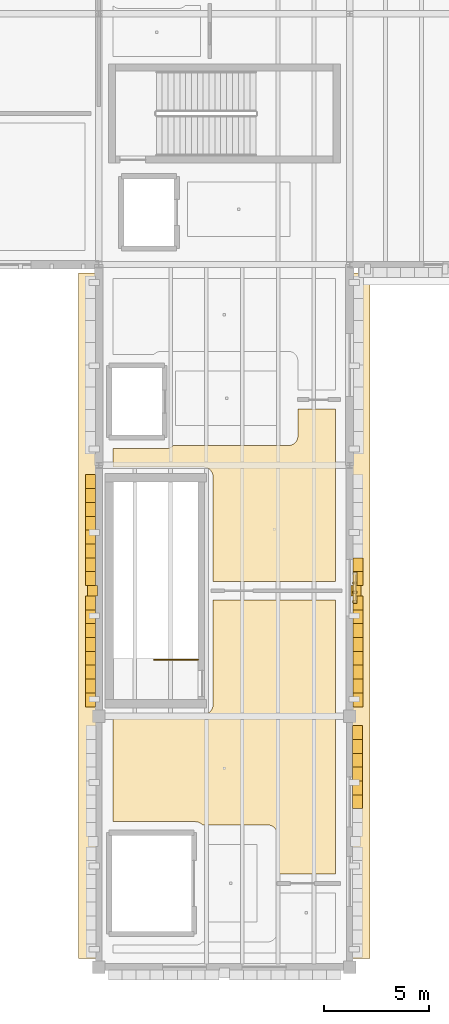
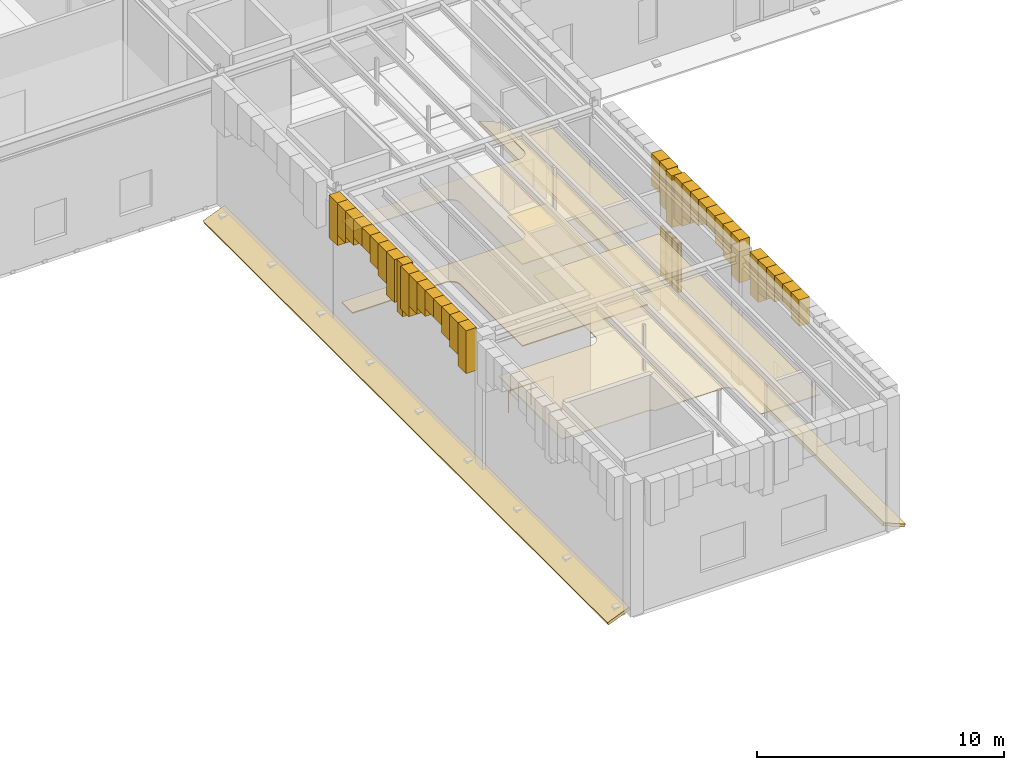
# One storey, part 56 of 62: 45 coverings, 1 railing, 1 shading device.
"""IFC4 building model written with IfcOpenShell, lengths in metres."""

from ifc_helpers import new_model, si_unit, direction, frame, origin, origin_2d, place, context, subcontext, project, spatial, polyline, rectangle, circle, outline, extrude, material, layer, layer_set, type_object, element, save


model = new_model("IFC4")

# Units and contexts
model_context = context("Model", 3, precision=1e-05, world=origin(), true_north=direction((0.0, 1.0)))
body_context = subcontext(model_context, "Body", "Model", "MODEL_VIEW")
ifc_project = project(units=[si_unit("LENGTHUNIT", "METRE"), si_unit("AREAUNIT", "SQUARE_METRE"), si_unit("VOLUMEUNIT", "CUBIC_METRE"), si_unit("PLANEANGLEUNIT", "RADIAN"), si_unit("MASSUNIT", "GRAM", prefix="KILO")], contexts=[model_context])

# Site, building, storey
site_placement = place(None, origin())
site = spatial("IfcSite", under=ifc_project, at=site_placement, CompositionType="ELEMENT")
building_placement = place(site_placement, origin())
building = spatial("IfcBuilding", under=site, at=building_placement, Name="Zlatogorsky Bluff Art Gallery", CompositionType="ELEMENT")
storey_placement = place(building_placement, frame((0.0, 0.0, 16.800048828125)))
storey = spatial("IfcBuildingStorey", under=building, at=storey_placement, Name="L03", CompositionType="ELEMENT", Elevation=16.800048828125)

# Coverings
ifc_material_1 = material(Name="Perforated Gypsum Acoustic Board", Category="gypsum")
ifc_layer_1 = layer(ifc_material_1, 0.0400390625)
ifc_layer_set_1 = layer_set([ifc_layer_1], Name="Acoustic Gallery Ceiling CLG-01")
covering_type_1 = type_object("IfcCoveringType", Name="Acoustic Gallery Ceiling CLG-01", PredefinedType="CEILING", material=ifc_layer_set_1)
covering_1_placement = place(storey_placement, frame((0.0, 0.0, 4.050048828125)))
element("IfcCovering", 1, at=covering_1_placement, inside=storey, type_object=covering_type_1, Name="Curatorial Archive Reading Room acoustic ceiling", PredefinedType="CEILING", context=body_context, shape_type="SweptSolid", body=[
    extrude(outline(polyline([(120.669921875, 62.489990234375), (125.0009765625, 62.489990234375), (125.04541015625, 62.4921875), (125.08935546875, 62.498779296875), (125.09033203125, 62.498779296875), (125.099609375, 62.5009765625), (125.1005859375, 62.501220703125), (125.143798828125, 62.512939453125), (125.185791015625, 62.529296875), (125.1875, 62.530029296875), (125.22314453125, 62.5478515625), (125.22412109375, 62.54833984375), (125.25634765625, 62.568115234375), (125.28662109375, 62.59033203125), (125.2880859375, 62.591552734375), (125.3251953125, 62.624755859375), (125.3583984375, 62.661865234375), (125.359619140625, 62.663330078125), (125.382080078125, 62.693603515625), (125.401611328125, 62.725830078125), (125.402099609375, 62.726806640625), (125.419921875, 62.762451171875), (125.42041015625, 62.763427734375), (125.4208984375, 62.764404296875), (125.43701171875, 62.80615234375), (125.448974609375, 62.849609375), (125.44921875, 62.850341796875), (125.451171875, 62.859619140625), (125.451416015625, 62.860595703125), (125.457763671875, 62.90478515625), (125.4599609375, 62.948974609375), (125.4599609375, 67.949951171875), (131.330078125, 67.949951171875), (131.330078125, 54.85009765625), (128.52001953125, 54.85009765625), (128.52001953125, 56.75), (128.517822265625, 56.794189453125), (128.511474609375, 56.837890625), (128.50048828125, 56.880615234375), (128.485595703125, 56.922119140625), (128.466796875, 56.962158203125), (128.444091796875, 57.0), (128.41796875, 57.035400390625), (128.38818359375, 57.068115234375), (128.35546875, 57.097900390625), (128.320068359375, 57.124267578125), (128.281982421875, 57.14697265625), (128.2421875, 57.165771484375), (128.20068359375, 57.1806640625), (128.15771484375, 57.19140625), (128.114013671875, 57.19775390625), (128.070068359375, 57.199951171875), (124.95458984375, 57.199951171875), (124.938232421875, 57.21826171875), (124.905517578125, 57.247802734375), (124.8701171875, 57.274169921875), (124.83203125, 57.296875), (124.792236328125, 57.315673828125), (124.75048828125, 57.33056640625), (124.707763671875, 57.34130859375), (124.6640625, 57.347900390625), (124.6201171875, 57.35009765625), (120.669921875, 57.35009765625), (120.669921875, 62.489990234375)])), origin(), (0.0, 0.0, 1.0), 0.039794921875),
])
covering_2_placement = place(storey_placement, frame((0.0, 0.0, 4.050048828125)))
element("IfcCovering", 2, at=covering_2_placement, inside=storey, type_object=covering_type_1, Name="Curatorial Archive Reading Room acoustic ceiling", PredefinedType="CEILING", context=body_context, shape_type="SweptSolid", body=[
    extrude(outline(polyline([(123.219970703125, 75.199951171875), (123.26416015625, 75.2021484375), (123.307861328125, 75.20849609375), (123.3505859375, 75.219482421875), (123.39208984375, 75.234375), (123.43212890625, 75.253173828125), (123.469970703125, 75.27587890625), (123.505615234375, 75.302001953125), (123.5380859375, 75.331787109375), (123.5546875, 75.35009765625), (129.070068359375, 75.35009765625), (129.114013671875, 75.352294921875), (129.15771484375, 75.358642578125), (129.20068359375, 75.369384765625), (129.2421875, 75.38427734375), (129.281982421875, 75.403076171875), (129.320068359375, 75.42578125), (129.35546875, 75.4521484375), (129.38818359375, 75.481689453125), (129.41796875, 75.514404296875), (129.444091796875, 75.550048828125), (129.466796875, 75.587890625), (129.485595703125, 75.627685546875), (129.50048828125, 75.66943359375), (129.511474609375, 75.712158203125), (129.517822265625, 75.755859375), (129.52001953125, 75.800048828125), (129.52001953125, 77.094970703125), (131.330078125, 77.094970703125), (131.330078125, 68.85009765625), (125.4599609375, 68.85009765625), (125.4599609375, 73.85107421875), (125.457763671875, 73.895263671875), (125.451416015625, 73.939208984375), (125.451171875, 73.940185546875), (125.44921875, 73.94970703125), (125.448974609375, 73.950439453125), (125.43701171875, 73.993896484375), (125.4208984375, 74.03564453125), (125.42041015625, 74.03662109375), (125.419921875, 74.03759765625), (125.402099609375, 74.0732421875), (125.401611328125, 74.07421875), (125.382080078125, 74.106201171875), (125.359619140625, 74.13671875), (125.3583984375, 74.13818359375), (125.3251953125, 74.17529296875), (125.2880859375, 74.20849609375), (125.28662109375, 74.209716796875), (125.25634765625, 74.23193359375), (125.22412109375, 74.251708984375), (125.22314453125, 74.252197265625), (125.1875, 74.27001953125), (125.185791015625, 74.270751953125), (125.143798828125, 74.287109375), (125.1005859375, 74.298828125), (125.099609375, 74.299072265625), (125.09033203125, 74.301025390625), (125.08935546875, 74.30126953125), (125.04541015625, 74.307861328125), (125.0009765625, 74.31005859375), (120.669921875, 74.31005859375), (120.669921875, 75.199951171875), (123.219970703125, 75.199951171875)])), origin(), (0.0, 0.0, 1.0), 0.039794921875),
])
ifc_material_2 = material(Name="Honed Red Agra-Tone Quartzitic Sandstone", Category="masonry")
ifc_layer_2 = layer(ifc_material_2, 0.1201171875)
ifc_layer_set_2 = layer_set([ifc_layer_2], Name="Carved Sandstone Cladding CLD-02")
covering_type_2 = type_object("IfcCoveringType", Name="Carved Sandstone Cladding CLD-02", PredefinedType="CLADDING", material=ifc_layer_set_2)
covering_3_placement = place(storey_placement, frame((0.0, 0.0, 5.2666015625)))
element("IfcCovering", 3, at=covering_3_placement, inside=storey, type_object=covering_type_2, Name="Pointed Mughal arch voussoir spandrel WARCH-L03-E-10-05-B.3", PredefinedType="CLADDING", context=body_context, shape_type="SweptSolid", body=[
    extrude(outline(polyline([(132.1298828125, 57.97509765625), (132.1298828125, 58.637451171875), (132.6201171875, 58.637451171875), (132.6201171875, 57.97509765625), (132.1298828125, 57.97509765625)])), origin(), (0.0, 0.0, 1.0), 1.29345703125),
])
covering_4_placement = place(storey_placement, frame((0.0, 0.0, 5.63525390625)))
element("IfcCovering", 4, at=covering_4_placement, inside=storey, type_object=covering_type_2, Name="Pointed Mughal arch voussoir spandrel WARCH-L03-E-10-05-B.4", PredefinedType="CLADDING", context=body_context, shape_type="SweptSolid", body=[
    extrude(outline(polyline([(132.1298828125, 58.637451171875), (132.1298828125, 59.300048828125), (132.6201171875, 59.300048828125), (132.6201171875, 58.637451171875), (132.1298828125, 58.637451171875)])), origin(), (0.0, 0.0, 1.0), 0.9248046875),
])
covering_5_placement = place(storey_placement, frame((0.0, 0.0, 5.63525390625)))
element("IfcCovering", 5, at=covering_5_placement, inside=storey, type_object=covering_type_2, Name="Pointed Mughal arch voussoir spandrel WARCH-L03-E-10-05-B.5", PredefinedType="CLADDING", context=body_context, shape_type="SweptSolid", body=[
    extrude(outline(polyline([(132.1298828125, 59.300048828125), (132.1298828125, 59.96240234375), (132.6201171875, 59.96240234375), (132.6201171875, 59.300048828125), (132.1298828125, 59.300048828125)])), origin(), (0.0, 0.0, 1.0), 0.9248046875),
])
covering_6_placement = place(storey_placement, frame((0.0, 0.0, 5.2666015625)))
element("IfcCovering", 6, at=covering_6_placement, inside=storey, type_object=covering_type_2, Name="Pointed Mughal arch voussoir spandrel WARCH-L03-E-10-05-B.6", PredefinedType="CLADDING", context=body_context, shape_type="SweptSolid", body=[
    extrude(outline(polyline([(132.1298828125, 59.96240234375), (132.1298828125, 60.625), (132.6201171875, 60.625), (132.6201171875, 59.96240234375), (132.1298828125, 59.96240234375)])), origin(), (0.0, 0.0, 1.0), 1.29345703125),
])
covering_7_placement = place(storey_placement, frame((0.0, 0.0, 4.9736328125)))
element("IfcCovering", 7, at=covering_7_placement, inside=storey, type_object=covering_type_2, Name="Pointed Mughal arch voussoir spandrel WARCH-L03-E-10-05-B.7", PredefinedType="CLADDING", context=body_context, shape_type="SweptSolid", body=[
    extrude(outline(polyline([(132.1298828125, 60.625), (132.1298828125, 61.28759765625), (132.6201171875, 61.28759765625), (132.6201171875, 60.625), (132.1298828125, 60.625)])), origin(), (0.0, 0.0, 1.0), 1.58642578125),
])
covering_8_placement = place(storey_placement, frame((0.0, 0.0, 4.4423828125)))
element("IfcCovering", 8, at=covering_8_placement, inside=storey, type_object=covering_type_2, Name="Pointed Mughal arch voussoir spandrel WARCH-L03-E-10-05-B.8", PredefinedType="CLADDING", context=body_context, shape_type="SweptSolid", body=[
    extrude(outline(polyline([(132.1298828125, 61.28759765625), (132.1298828125, 61.949951171875), (132.6201171875, 61.949951171875), (132.6201171875, 61.28759765625), (132.1298828125, 61.28759765625)])), origin(), (0.0, 0.0, 1.0), 2.11767578125),
])
covering_9_placement = place(storey_placement, frame((0.0, 0.0, 4.0)))
element("IfcCovering", 9, at=covering_9_placement, inside=storey, type_object=covering_type_2, Name="Mughal blind-arch sandstone pilaster L03.W.10.6", PredefinedType="CLADDING", context=body_context, shape_type="SweptSolid", body=[
    extrude(outline(polyline([(119.4599609375, 68.159912109375), (119.93994140625, 68.159912109375), (119.93994140625, 68.639892578125), (119.4599609375, 68.639892578125), (119.4599609375, 68.159912109375)])), origin(), (0.0, 0.0, 1.0), 2.56005859375),
])
covering_10_placement = place(storey_placement, frame((0.0, 0.0, 4.4423828125)))
element("IfcCovering", 10, at=covering_10_placement, inside=storey, type_object=covering_type_2, Name="Pointed Mughal arch voussoir spandrel WARCH-L03-W-10-06-A.1", PredefinedType="CLADDING", context=body_context, shape_type="SweptSolid", body=[
    extrude(outline(polyline([(119.360107421875, 62.85009765625), (119.360107421875, 63.512451171875), (119.85009765625, 63.512451171875), (119.85009765625, 62.85009765625), (119.360107421875, 62.85009765625)])), origin(), (0.0, 0.0, 1.0), 2.11767578125),
])
covering_11_placement = place(storey_placement, frame((0.0, 0.0, 4.9736328125)))
element("IfcCovering", 11, at=covering_11_placement, inside=storey, type_object=covering_type_2, Name="Pointed Mughal arch voussoir spandrel WARCH-L03-W-10-06-A.2", PredefinedType="CLADDING", context=body_context, shape_type="SweptSolid", body=[
    extrude(outline(polyline([(119.360107421875, 63.512451171875), (119.360107421875, 64.175048828125), (119.85009765625, 64.175048828125), (119.85009765625, 63.512451171875), (119.360107421875, 63.512451171875)])), origin(), (0.0, 0.0, 1.0), 1.58642578125),
])
covering_12_placement = place(storey_placement, frame((0.0, 0.0, 5.2666015625)))
element("IfcCovering", 12, at=covering_12_placement, inside=storey, type_object=covering_type_2, Name="Pointed Mughal arch voussoir spandrel WARCH-L03-W-10-06-A.3", PredefinedType="CLADDING", context=body_context, shape_type="SweptSolid", body=[
    extrude(outline(polyline([(119.360107421875, 64.175048828125), (119.360107421875, 64.83740234375), (119.85009765625, 64.83740234375), (119.85009765625, 64.175048828125), (119.360107421875, 64.175048828125)])), origin(), (0.0, 0.0, 1.0), 1.29345703125),
])
covering_13_placement = place(storey_placement, frame((0.0, 0.0, 5.63525390625)))
element("IfcCovering", 13, at=covering_13_placement, inside=storey, type_object=covering_type_2, Name="Pointed Mughal arch voussoir spandrel WARCH-L03-W-10-06-A.4", PredefinedType="CLADDING", context=body_context, shape_type="SweptSolid", body=[
    extrude(outline(polyline([(119.360107421875, 64.83740234375), (119.360107421875, 65.5), (119.85009765625, 65.5), (119.85009765625, 64.83740234375), (119.360107421875, 64.83740234375)])), origin(), (0.0, 0.0, 1.0), 0.9248046875),
])
covering_14_placement = place(storey_placement, frame((0.0, 0.0, 5.63525390625)))
element("IfcCovering", 14, at=covering_14_placement, inside=storey, type_object=covering_type_2, Name="Pointed Mughal arch voussoir spandrel WARCH-L03-W-10-06-A.5", PredefinedType="CLADDING", context=body_context, shape_type="SweptSolid", body=[
    extrude(outline(polyline([(119.360107421875, 65.5), (119.360107421875, 66.16259765625), (119.85009765625, 66.16259765625), (119.85009765625, 65.5), (119.360107421875, 65.5)])), origin(), (0.0, 0.0, 1.0), 0.9248046875),
])
covering_15_placement = place(storey_placement, frame((0.0, 0.0, 5.2666015625)))
element("IfcCovering", 15, at=covering_15_placement, inside=storey, type_object=covering_type_2, Name="Pointed Mughal arch voussoir spandrel WARCH-L03-W-10-06-A.6", PredefinedType="CLADDING", context=body_context, shape_type="SweptSolid", body=[
    extrude(outline(polyline([(119.360107421875, 66.16259765625), (119.360107421875, 66.824951171875), (119.85009765625, 66.824951171875), (119.85009765625, 66.16259765625), (119.360107421875, 66.16259765625)])), origin(), (0.0, 0.0, 1.0), 1.29345703125),
])
covering_16_placement = place(storey_placement, frame((0.0, 0.0, 4.9736328125)))
element("IfcCovering", 16, at=covering_16_placement, inside=storey, type_object=covering_type_2, Name="Pointed Mughal arch voussoir spandrel WARCH-L03-W-10-06-A.7", PredefinedType="CLADDING", context=body_context, shape_type="SweptSolid", body=[
    extrude(outline(polyline([(119.360107421875, 66.824951171875), (119.360107421875, 67.487548828125), (119.85009765625, 67.487548828125), (119.85009765625, 66.824951171875), (119.360107421875, 66.824951171875)])), origin(), (0.0, 0.0, 1.0), 1.58642578125),
])
covering_17_placement = place(storey_placement, frame((0.0, 0.0, 4.4423828125)))
element("IfcCovering", 17, at=covering_17_placement, inside=storey, type_object=covering_type_2, Name="Pointed Mughal arch voussoir spandrel WARCH-L03-W-10-06-A.8", PredefinedType="CLADDING", context=body_context, shape_type="SweptSolid", body=[
    extrude(outline(polyline([(119.360107421875, 67.487548828125), (119.360107421875, 68.14990234375), (119.85009765625, 68.14990234375), (119.85009765625, 67.487548828125), (119.360107421875, 67.487548828125)])), origin(), (0.0, 0.0, 1.0), 2.11767578125),
])
covering_18_placement = place(storey_placement, frame((0.0, 0.0, 4.4423828125)))
element("IfcCovering", 18, at=covering_18_placement, inside=storey, type_object=covering_type_2, Name="Pointed Mughal arch voussoir spandrel WARCH-L03-W-10-06-B.1", PredefinedType="CLADDING", context=body_context, shape_type="SweptSolid", body=[
    extrude(outline(polyline([(119.360107421875, 68.64990234375), (119.360107421875, 69.3125), (119.85009765625, 69.3125), (119.85009765625, 68.64990234375), (119.360107421875, 68.64990234375)])), origin(), (0.0, 0.0, 1.0), 2.11767578125),
])
covering_19_placement = place(storey_placement, frame((0.0, 0.0, 4.9736328125)))
element("IfcCovering", 19, at=covering_19_placement, inside=storey, type_object=covering_type_2, Name="Pointed Mughal arch voussoir spandrel WARCH-L03-W-10-06-B.2", PredefinedType="CLADDING", context=body_context, shape_type="SweptSolid", body=[
    extrude(outline(polyline([(119.360107421875, 69.3125), (119.360107421875, 69.97509765625), (119.85009765625, 69.97509765625), (119.85009765625, 69.3125), (119.360107421875, 69.3125)])), origin(), (0.0, 0.0, 1.0), 1.58642578125),
])
covering_20_placement = place(storey_placement, frame((0.0, 0.0, 5.2666015625)))
element("IfcCovering", 20, at=covering_20_placement, inside=storey, type_object=covering_type_2, Name="Pointed Mughal arch voussoir spandrel WARCH-L03-W-10-06-B.3", PredefinedType="CLADDING", context=body_context, shape_type="SweptSolid", body=[
    extrude(outline(polyline([(119.360107421875, 69.97509765625), (119.360107421875, 70.637451171875), (119.85009765625, 70.637451171875), (119.85009765625, 69.97509765625), (119.360107421875, 69.97509765625)])), origin(), (0.0, 0.0, 1.0), 1.29345703125),
])
covering_21_placement = place(storey_placement, frame((0.0, 0.0, 5.63525390625)))
element("IfcCovering", 21, at=covering_21_placement, inside=storey, type_object=covering_type_2, Name="Pointed Mughal arch voussoir spandrel WARCH-L03-W-10-06-B.4", PredefinedType="CLADDING", context=body_context, shape_type="SweptSolid", body=[
    extrude(outline(polyline([(119.360107421875, 70.637451171875), (119.360107421875, 71.300048828125), (119.85009765625, 71.300048828125), (119.85009765625, 70.637451171875), (119.360107421875, 70.637451171875)])), origin(), (0.0, 0.0, 1.0), 0.9248046875),
])
covering_22_placement = place(storey_placement, frame((0.0, 0.0, 5.63525390625)))
element("IfcCovering", 22, at=covering_22_placement, inside=storey, type_object=covering_type_2, Name="Pointed Mughal arch voussoir spandrel WARCH-L03-W-10-06-B.5", PredefinedType="CLADDING", context=body_context, shape_type="SweptSolid", body=[
    extrude(outline(polyline([(119.360107421875, 71.300048828125), (119.360107421875, 71.96240234375), (119.85009765625, 71.96240234375), (119.85009765625, 71.300048828125), (119.360107421875, 71.300048828125)])), origin(), (0.0, 0.0, 1.0), 0.9248046875),
])
covering_23_placement = place(storey_placement, frame((0.0, 0.0, 5.2666015625)))
element("IfcCovering", 23, at=covering_23_placement, inside=storey, type_object=covering_type_2, Name="Pointed Mughal arch voussoir spandrel WARCH-L03-W-10-06-B.6", PredefinedType="CLADDING", context=body_context, shape_type="SweptSolid", body=[
    extrude(outline(polyline([(119.360107421875, 71.96240234375), (119.360107421875, 72.625), (119.85009765625, 72.625), (119.85009765625, 71.96240234375), (119.360107421875, 71.96240234375)])), origin(), (0.0, 0.0, 1.0), 1.29345703125),
])
covering_24_placement = place(storey_placement, frame((0.0, 0.0, 4.9736328125)))
element("IfcCovering", 24, at=covering_24_placement, inside=storey, type_object=covering_type_2, Name="Pointed Mughal arch voussoir spandrel WARCH-L03-W-10-06-B.7", PredefinedType="CLADDING", context=body_context, shape_type="SweptSolid", body=[
    extrude(outline(polyline([(119.360107421875, 72.625), (119.360107421875, 73.28759765625), (119.85009765625, 73.28759765625), (119.85009765625, 72.625), (119.360107421875, 72.625)])), origin(), (0.0, 0.0, 1.0), 1.58642578125),
])
covering_25_placement = place(storey_placement, frame((0.0, 0.0, 4.4423828125)))
element("IfcCovering", 25, at=covering_25_placement, inside=storey, type_object=covering_type_2, Name="Pointed Mughal arch voussoir spandrel WARCH-L03-W-10-06-B.8", PredefinedType="CLADDING", context=body_context, shape_type="SweptSolid", body=[
    extrude(outline(polyline([(119.360107421875, 73.28759765625), (119.360107421875, 73.949951171875), (119.85009765625, 73.949951171875), (119.85009765625, 73.28759765625), (119.360107421875, 73.28759765625)])), origin(), (0.0, 0.0, 1.0), 2.11767578125),
])
covering_26_placement = place(storey_placement, frame((0.0, 0.0, 4.0)))
element("IfcCovering", 26, at=covering_26_placement, inside=storey, type_object=covering_type_2, Name="Mughal blind-arch sandstone pilaster L03.E.10.6", PredefinedType="CLADDING", context=body_context, shape_type="SweptSolid", body=[
    extrude(outline(polyline([(132.06005859375, 68.159912109375), (132.5400390625, 68.159912109375), (132.5400390625, 68.639892578125), (132.06005859375, 68.639892578125), (132.06005859375, 68.159912109375)])), origin(), (0.0, 0.0, 1.0), 2.56005859375),
])
covering_27_placement = place(storey_placement, frame((0.0, 0.0, 4.4423828125)))
element("IfcCovering", 27, at=covering_27_placement, inside=storey, type_object=covering_type_2, Name="Pointed Mughal arch voussoir spandrel WARCH-L03-E-10-06-A.1", PredefinedType="CLADDING", context=body_context, shape_type="SweptSolid", body=[
    extrude(outline(polyline([(132.14990234375, 62.85009765625), (132.14990234375, 63.512451171875), (132.639892578125, 63.512451171875), (132.639892578125, 62.85009765625), (132.14990234375, 62.85009765625)])), origin(), (0.0, 0.0, 1.0), 2.11767578125),
])
covering_28_placement = place(storey_placement, frame((0.0, 0.0, 4.9736328125)))
element("IfcCovering", 28, at=covering_28_placement, inside=storey, type_object=covering_type_2, Name="Pointed Mughal arch voussoir spandrel WARCH-L03-E-10-06-A.2", PredefinedType="CLADDING", context=body_context, shape_type="SweptSolid", body=[
    extrude(outline(polyline([(132.14990234375, 63.512451171875), (132.14990234375, 64.175048828125), (132.639892578125, 64.175048828125), (132.639892578125, 63.512451171875), (132.14990234375, 63.512451171875)])), origin(), (0.0, 0.0, 1.0), 1.58642578125),
])
covering_29_placement = place(storey_placement, frame((0.0, 0.0, 5.2666015625)))
element("IfcCovering", 29, at=covering_29_placement, inside=storey, type_object=covering_type_2, Name="Pointed Mughal arch voussoir spandrel WARCH-L03-E-10-06-A.3", PredefinedType="CLADDING", context=body_context, shape_type="SweptSolid", body=[
    extrude(outline(polyline([(132.14990234375, 64.175048828125), (132.14990234375, 64.83740234375), (132.639892578125, 64.83740234375), (132.639892578125, 64.175048828125), (132.14990234375, 64.175048828125)])), origin(), (0.0, 0.0, 1.0), 1.29345703125),
])
covering_30_placement = place(storey_placement, frame((0.0, 0.0, 5.63525390625)))
element("IfcCovering", 30, at=covering_30_placement, inside=storey, type_object=covering_type_2, Name="Pointed Mughal arch voussoir spandrel WARCH-L03-E-10-06-A.4", PredefinedType="CLADDING", context=body_context, shape_type="SweptSolid", body=[
    extrude(outline(polyline([(132.14990234375, 64.83740234375), (132.14990234375, 65.5), (132.639892578125, 65.5), (132.639892578125, 64.83740234375), (132.14990234375, 64.83740234375)])), origin(), (0.0, 0.0, 1.0), 0.9248046875),
])
covering_31_placement = place(storey_placement, frame((0.0, 0.0, 5.63525390625)))
element("IfcCovering", 31, at=covering_31_placement, inside=storey, type_object=covering_type_2, Name="Pointed Mughal arch voussoir spandrel WARCH-L03-E-10-06-A.5", PredefinedType="CLADDING", context=body_context, shape_type="SweptSolid", body=[
    extrude(outline(polyline([(132.14990234375, 65.5), (132.14990234375, 66.16259765625), (132.639892578125, 66.16259765625), (132.639892578125, 65.5), (132.14990234375, 65.5)])), origin(), (0.0, 0.0, 1.0), 0.9248046875),
])
covering_32_placement = place(storey_placement, frame((0.0, 0.0, 5.2666015625)))
element("IfcCovering", 32, at=covering_32_placement, inside=storey, type_object=covering_type_2, Name="Pointed Mughal arch voussoir spandrel WARCH-L03-E-10-06-A.6", PredefinedType="CLADDING", context=body_context, shape_type="SweptSolid", body=[
    extrude(outline(polyline([(132.14990234375, 66.16259765625), (132.14990234375, 66.824951171875), (132.639892578125, 66.824951171875), (132.639892578125, 66.16259765625), (132.14990234375, 66.16259765625)])), origin(), (0.0, 0.0, 1.0), 1.29345703125),
])
covering_33_placement = place(storey_placement, frame((0.0, 0.0, 4.9736328125)))
element("IfcCovering", 33, at=covering_33_placement, inside=storey, type_object=covering_type_2, Name="Pointed Mughal arch voussoir spandrel WARCH-L03-E-10-06-A.7", PredefinedType="CLADDING", context=body_context, shape_type="SweptSolid", body=[
    extrude(outline(polyline([(132.14990234375, 66.824951171875), (132.14990234375, 67.487548828125), (132.639892578125, 67.487548828125), (132.639892578125, 66.824951171875), (132.14990234375, 66.824951171875)])), origin(), (0.0, 0.0, 1.0), 1.58642578125),
])
covering_34_placement = place(storey_placement, frame((0.0, 0.0, 4.4423828125)))
element("IfcCovering", 34, at=covering_34_placement, inside=storey, type_object=covering_type_2, Name="Pointed Mughal arch voussoir spandrel WARCH-L03-E-10-06-A.8", PredefinedType="CLADDING", context=body_context, shape_type="SweptSolid", body=[
    extrude(outline(polyline([(132.14990234375, 67.487548828125), (132.14990234375, 68.14990234375), (132.639892578125, 68.14990234375), (132.639892578125, 67.487548828125), (132.14990234375, 67.487548828125)])), origin(), (0.0, 0.0, 1.0), 2.11767578125),
])
covering_35_placement = place(storey_placement, frame((0.0, 0.0, 4.4423828125)))
element("IfcCovering", 35, at=covering_35_placement, inside=storey, type_object=covering_type_2, Name="Pointed Mughal arch voussoir spandrel WARCH-L03-E-10-06-B.1", PredefinedType="CLADDING", context=body_context, shape_type="SweptSolid", body=[
    extrude(outline(polyline([(132.14990234375, 68.64990234375), (132.14990234375, 69.3125), (132.639892578125, 69.3125), (132.639892578125, 68.64990234375), (132.14990234375, 68.64990234375)])), origin(), (0.0, 0.0, 1.0), 2.11767578125),
])
covering_36_placement = place(storey_placement, frame((0.0, 0.0, 4.9736328125)))
element("IfcCovering", 36, at=covering_36_placement, inside=storey, type_object=covering_type_2, Name="Pointed Mughal arch voussoir spandrel WARCH-L03-E-10-06-B.2", PredefinedType="CLADDING", context=body_context, shape_type="SweptSolid", body=[
    extrude(outline(polyline([(132.14990234375, 69.3125), (132.14990234375, 69.97509765625), (132.639892578125, 69.97509765625), (132.639892578125, 69.3125), (132.14990234375, 69.3125)])), origin(), (0.0, 0.0, 1.0), 1.58642578125),
])
covering_37_placement = place(storey_placement, frame((0.0, 0.0, 0.949951171875)))
element("IfcCovering", 37, at=covering_37_placement, inside=storey, type_object=covering_type_2, Name="Pierced sandstone jali lattice bar L03.E.10.6", PredefinedType="CLADDING", context=body_context, shape_type="SweptSolid", body=[
    extrude(outline(polyline([(132.14990234375, 67.827392578125), (132.14990234375, 67.91748046875), (132.340087890625, 67.91748046875), (132.340087890625, 67.827392578125), (132.14990234375, 67.827392578125)])), origin(), (0.0, 0.0, 1.0), 2.39990234375),
])
covering_38_placement = place(storey_placement, frame((0.0, 0.0, 0.949951171875)))
element("IfcCovering", 38, at=covering_38_placement, inside=storey, type_object=covering_type_2, Name="Pierced sandstone jali lattice bar L03.E.10.6", PredefinedType="CLADDING", context=body_context, shape_type="SweptSolid", body=[
    extrude(outline(polyline([(132.14990234375, 68.277587890625), (132.14990234375, 68.367431640625), (132.340087890625, 68.367431640625), (132.340087890625, 68.277587890625), (132.14990234375, 68.277587890625)])), origin(), (0.0, 0.0, 1.0), 2.39990234375),
])
covering_39_placement = place(storey_placement, frame((0.0, 0.0, 0.949951171875)))
element("IfcCovering", 39, at=covering_39_placement, inside=storey, type_object=covering_type_2, Name="Pierced sandstone jali lattice bar L03.E.10.6", PredefinedType="CLADDING", context=body_context, shape_type="SweptSolid", body=[
    extrude(outline(polyline([(132.14990234375, 68.7275390625), (132.14990234375, 68.8173828125), (132.340087890625, 68.8173828125), (132.340087890625, 68.7275390625), (132.14990234375, 68.7275390625)])), origin(), (0.0, 0.0, 1.0), 2.39990234375),
])
covering_40_placement = place(storey_placement, frame((0.0, 0.0, 1.510009765625)))
element("IfcCovering", 40, at=covering_40_placement, inside=storey, type_object=covering_type_2, Name="Pierced sandstone jali lattice transom L03.E.10.6", PredefinedType="CLADDING", context=body_context, shape_type="SweptSolid", body=[
    extrude(outline(polyline([(132.14990234375, 67.797607421875), (132.14990234375, 69.297607421875), (132.340087890625, 69.297607421875), (132.340087890625, 67.797607421875), (132.14990234375, 67.797607421875)])), origin(), (0.0, 0.0, 1.0), 0.079833984375),
])
for number, where, name in (
    (41, (0.0, 0.0, 2.10986328125), "Pierced sandstone jali lattice transom L03.E.10.6"),
    (42, (0.0, 0.0, 2.7099609375), "Pierced sandstone jali lattice transom L03.E.10.6"),
):
    element("IfcCovering", number, at=place(storey_placement, frame(where)), inside=storey, type_object=covering_type_2, Name=name, PredefinedType="CLADDING", context=body_context, shape_type="SweptSolid", body=[
        extrude(outline(polyline([(132.14990234375, 67.797607421875), (132.14990234375, 69.297607421875), (132.340087890625, 69.297607421875), (132.340087890625, 67.797607421875), (132.14990234375, 67.797607421875)])), origin(), (0.0, 0.0, 1.0), 0.080078125),
    ])
for number, where, z_axis, x_axis, name in (
    (43, (120.0400390625, 50.800048828125, -0.0400390625), (-0.380683013172, 0.0, 0.924705598276), (0.0, 1.0, 0.0), "Projecting sloped Mughal chhajja stone eave CHJ-LINK-W-L03"),
    (44, (131.9599609375, 83.60009765625, -0.0400390625), (0.380683013172, 0.0, 0.924705598276), (0.0, -1.0, 0.0), "Projecting sloped Mughal chhajja stone eave CHJ-LINK-E-L03"),
):
    element("IfcCovering", number, at=place(storey_placement, frame(where, z_axis=z_axis, x_axis=x_axis)), inside=storey, type_object=covering_type_2, Name=name, PredefinedType="CLADDING", context=body_context, shape_type="SweptSolid", body=[
        extrude(outline(polyline([(0.0, 0.0), (32.800048828125, 0.0), (32.800048828125, 1.1030748955691927), (0.0, 1.1030748955691927), (0.0, 0.0)])), origin(), (0.0, 0.0, -1.0), 0.139892578125),
    ])

# Railing
ifc_material_3 = material(Name="Architectural Bronze and Laminated Glass", Category="glass")
railing_type = type_object("IfcRailingType", Name="Gallery Guard Rail 1100mm", PredefinedType="GUARDRAIL", material=ifc_material_3)
railing_placement = place(storey_placement, frame((124.75, 65.10009765625, 0.0)))
element("IfcRailing", 45, at=railing_placement, inside=storey, type_object=railing_type, Name="L03 ST-06 top well guard 1", PredefinedType="GUARDRAIL", context=body_context, shape_type="SweptSolid", body=[
    extrude(circle(Radius=0.02392578125, at=origin_2d()), frame((0.0, 0.0, 1.076171875), z_axis=(-1.0, 0.0, 0.0), x_axis=(0.0, -1.0, 0.0)), (0.0, 0.0, 1.0), 2.10009765625),
    extrude(circle(Radius=0.02099609375, at=origin_2d()), origin(), (0.0, 0.0, 1.0), 1.052001953125),
    extrude(circle(Radius=0.02099609375, at=origin_2d()), frame((-1.050048828125, 0.0, 0.0)), (0.0, 0.0, 1.0), 1.052001953125),
    extrude(circle(Radius=0.02099609375, at=origin_2d()), frame((-2.10009765625, 0.0, 0.0)), (0.0, 0.0, 1.0), 1.052001953125),
])

# Shading device
ifc_material_4 = material(Name="CNC-Pierced Red Quartzitic Sandstone Jali", Category="masonry")
shading_device_type = type_object("IfcShadingDeviceType", Name="Pierced Stone Jali Screen JAL-01", PredefinedType="JALOUSIE", material=ifc_material_4)
shading_device_placement = place(storey_placement, frame((132.219970703125, 68.547607421875, 0.949951171875), z_axis=(0.0, 0.0, 1.0), x_axis=(1.0, 0.0, 0.0)))
element("IfcShadingDevice", 46, at=shading_device_placement, inside=storey, type_object=shading_device_type, Name="Pierced stone jali screen JAL-01", PredefinedType="JALOUSIE", context=body_context, shape_type="SweptSolid", body=[
    extrude(rectangle(XDim=0.1201171875, YDim=1.5, at=origin_2d()), origin(), (0.0, 0.0, 1.0), 2.39990234375),
])

# Covering
ifc_material_5 = material(Name="Polished Ural Marble Terrazzo", Category="masonry")
ifc_layer_3 = layer(ifc_material_5, 0.050048828125)
ifc_layer_set_3 = layer_set([ifc_layer_3], Name="Terrazzo Gallery Flooring FLR-01")
covering_type_3 = type_object("IfcCoveringType", Name="Terrazzo Gallery Flooring FLR-01", PredefinedType="FLOORING", material=ifc_layer_set_3)
covering_41_placement = place(storey_placement, origin())
element("IfcCovering", 47, at=covering_41_placement, inside=storey, type_object=covering_type_3, Name="Curatorial Archive Reading Room terrazzo floor finish", PredefinedType="FLOORING", context=body_context, shape_type="SweptSolid", body=[
    extrude(outline(polyline([(123.219970703125, 75.199951171875), (123.26416015625, 75.2021484375), (123.307861328125, 75.20849609375), (123.3505859375, 75.219482421875), (123.39208984375, 75.234375), (123.43212890625, 75.253173828125), (123.469970703125, 75.27587890625), (123.505615234375, 75.302001953125), (123.5380859375, 75.331787109375), (123.5546875, 75.35009765625), (129.070068359375, 75.35009765625), (129.114013671875, 75.352294921875), (129.15771484375, 75.358642578125), (129.20068359375, 75.369384765625), (129.2421875, 75.38427734375), (129.281982421875, 75.403076171875), (129.320068359375, 75.42578125), (129.35546875, 75.4521484375), (129.38818359375, 75.481689453125), (129.41796875, 75.514404296875), (129.444091796875, 75.550048828125), (129.466796875, 75.587890625), (129.485595703125, 75.627685546875), (129.50048828125, 75.66943359375), (129.511474609375, 75.712158203125), (129.517822265625, 75.755859375), (129.52001953125, 75.800048828125), (129.52001953125, 77.094970703125), (131.330078125, 77.094970703125), (131.330078125, 68.85009765625), (125.4599609375, 68.85009765625), (125.4599609375, 73.85107421875), (125.457763671875, 73.895263671875), (125.451416015625, 73.939208984375), (125.451171875, 73.940185546875), (125.44921875, 73.94970703125), (125.448974609375, 73.950439453125), (125.43701171875, 73.993896484375), (125.4208984375, 74.03564453125), (125.42041015625, 74.03662109375), (125.419921875, 74.03759765625), (125.402099609375, 74.0732421875), (125.401611328125, 74.07421875), (125.382080078125, 74.106201171875), (125.359619140625, 74.13671875), (125.3583984375, 74.13818359375), (125.3251953125, 74.17529296875), (125.2880859375, 74.20849609375), (125.28662109375, 74.209716796875), (125.25634765625, 74.23193359375), (125.22412109375, 74.251708984375), (125.22314453125, 74.252197265625), (125.1875, 74.27001953125), (125.185791015625, 74.270751953125), (125.143798828125, 74.287109375), (125.1005859375, 74.298828125), (125.099609375, 74.299072265625), (125.09033203125, 74.301025390625), (125.08935546875, 74.30126953125), (125.04541015625, 74.307861328125), (125.0009765625, 74.31005859375), (120.669921875, 74.31005859375), (120.669921875, 75.199951171875), (123.219970703125, 75.199951171875)])), origin(), (0.0, 0.0, 1.0), 0.050048828125),
])

save(model, "model.ifc")
